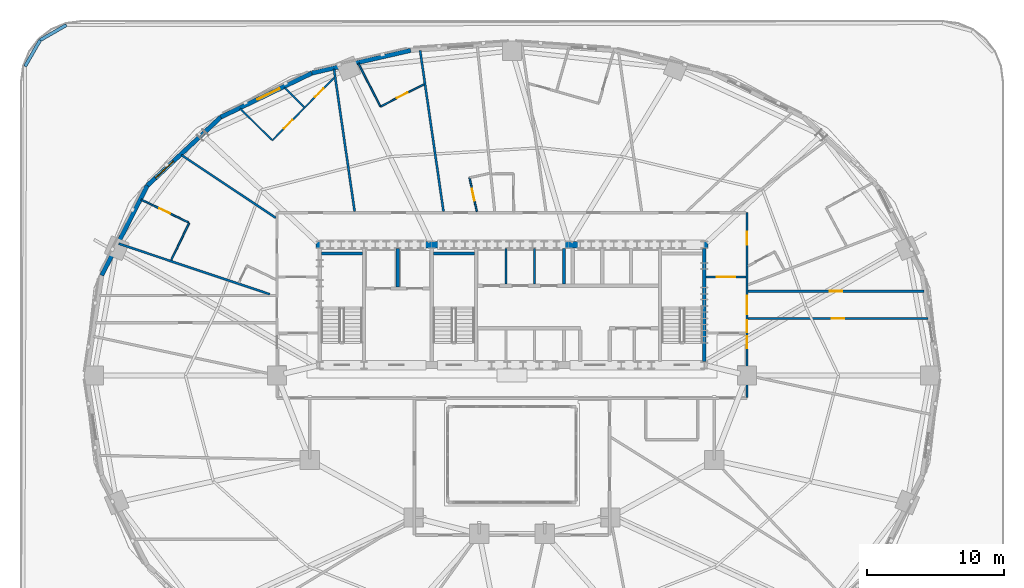
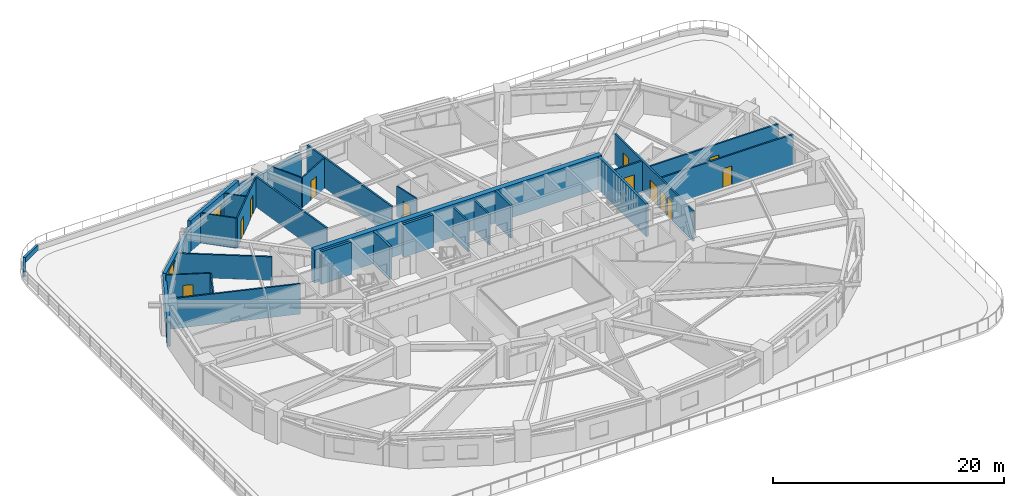
# One storey, part 10 of 18: 30 walls, 12 doors, 2 windows, 14 openings.
"""IFC4 building model written with IfcOpenShell, lengths in metres."""

from ifc_helpers import new_model, si_unit, direction, frame, frame_2d, origin, place, context, subcontext, project, spatial, rectangle, extrude, material, layer, layer_set, type_object, element, fill, save


model = new_model("IFC4")

# Units and contexts
model_context = context("Model", 3, precision=1e-05, world=origin(), true_north=direction((0.0, 1.0)))
body_context = subcontext(model_context, "Body", "Model", "MODEL_VIEW")
ifc_project = project(units=[si_unit("LENGTHUNIT", "METRE"), si_unit("AREAUNIT", "SQUARE_METRE"), si_unit("VOLUMEUNIT", "CUBIC_METRE"), si_unit("PLANEANGLEUNIT", "RADIAN"), si_unit("MASSUNIT", "GRAM", prefix="KILO")], contexts=[model_context])

# Site, building, storey
site_placement = place(None, origin())
site = spatial("IfcSite", under=ifc_project, at=site_placement, CompositionType="ELEMENT")
building_placement = place(site_placement, origin())
building = spatial("IfcBuilding", under=site, at=building_placement, Name="Haldorwick Loom Tower", CompositionType="ELEMENT")
storey_placement = place(building_placement, frame((0.0, 0.0, 24.0)))
storey = spatial("IfcBuildingStorey", under=building, at=storey_placement, Name="L05", CompositionType="ELEMENT", Elevation=24.0)

# Wall
ifc_material_1 = material(Name="Pressed Clay Face Brick and Insulated Masonry Backup Assembly", Category="masonry")
ifc_layer_1 = layer(ifc_material_1, 0.320068359375, Name="Pressed Clay Face Brick and Insulated Masonry Backup Assembly", Category="masonry")
ifc_layer_set_1 = layer_set([ifc_layer_1], Name="Pressed Clay Face Brick and Insulated Masonry Backup Assembly")
wall_type_1 = type_object("IfcWallType", Name="ARC-WL-EXT320", PredefinedType="STANDARD", material=ifc_layer_set_1)
wall_1_placement = place(storey_placement, frame((28.588623046875, 49.780517578125, 0.0), z_axis=(0.0, 0.0, 1.0), x_axis=(-0.974522412345, -0.224290142088, 0.0)))
element("IfcWall", 1, at=wall_1_placement, inside=storey, type_object=wall_type_1, Name="L05 Brick Pier and Spandrel Wall 8", PredefinedType="STANDARD", context=body_context, shape_type="SweptSolid", body=[
    extrude(rectangle(XDim=7.422607421875, YDim=0.320068359375, at=frame_2d((3.71142578125, 0.0))), origin(), (0.0, 0.0, 1.0), 2.569091796875),
])

# Wall, opening, window
wall_2_placement = place(storey_placement, frame((21.355224609375, 48.11572265625, 0.0), z_axis=(0.0, 0.0, 1.0), x_axis=(-0.900295710431, -0.435278800057, 0.0)))
wall_2 = element("IfcWall", 2, at=wall_2_placement, inside=storey, type_object=wall_type_1, Name="L05 Brick Pier and Spandrel Wall 9", PredefinedType="STANDARD", context=body_context, shape_type="SweptSolid", body=[
    extrude(rectangle(XDim=7.39697265625, YDim=0.320068359375, at=frame_2d((3.698486328125, 0.0))), origin(), (0.0, 0.0, 1.0), 3.2099609375),
])
opening_1_placement = place(wall_2_placement, frame((2.61865234375, 0.0, 0.800048828125)))
opening_1 = element("IfcOpeningElement", 3, at=opening_1_placement, cuts=wall_2, Name="Opening W-01", PredefinedType="OPENING", context=body_context, shape_type="SweptSolid", body=[
    extrude(rectangle(XDim=1.800048828125, YDim=1.47998046875, at=frame_2d((0.89990234375, 0.739990234375))), frame((0.0, 0.169921875, 0.0), z_axis=(0.0, -1.0, 0.0), x_axis=(1.0, 0.0, 0.0)), (0.0, 0.0, 1.0), 0.340087890625),
])
ifc_material_2 = material(Name="Triple-Glazed Low-E Argon Insulated Glazing Unit", Category="glass")
window_type = type_object("IfcWindowType", Name="ARC-WIN-W180", PartitioningType="SINGLE_PANEL", PredefinedType="WINDOW", material=ifc_material_2)
window_1_placement = place(opening_1_placement, origin())
window_1 = element("IfcWindow", 4, at=window_1_placement, inside=storey, type_object=window_type, Name="L05 Deep-Set Zone 7A Window 9", OverallHeight=1.47998046875, OverallWidth=1.800048828125, PartitioningType="SINGLE_PANEL", PredefinedType="WINDOW", context=body_context, shape_type="SweptSolid", body=[
    extrude(rectangle(XDim=1.800048828125, YDim=1.47998046875, at=frame_2d((0.89990234375, 0.739990234375))), frame((0.0, 0.030029296875, 0.0), z_axis=(0.0, -1.0, 0.0), x_axis=(1.0, 0.0, 0.0)), (0.0, 0.0, 1.0), 0.06005859375),
])
fill(opening_1, window_1)

wall_3_placement = place(storey_placement, frame((14.69580078125, 44.89599609375, 0.0), z_axis=(0.0, 0.0, 1.0), x_axis=(-0.73176101237, -0.681561311091, 0.0)))
wall_3 = element("IfcWall", 5, at=wall_3_placement, inside=storey, type_object=wall_type_1, Name="L05 Brick Pier and Spandrel Wall 10", PredefinedType="STANDARD", context=body_context, shape_type="SweptSolid", body=[
    extrude(rectangle(XDim=7.3583984375, YDim=0.320068359375, at=frame_2d((3.67919921875, 0.0))), origin(), (0.0, 0.0, 1.0), 2.569091796875),
])
opening_2_placement = place(wall_3_placement, frame((4.736572265625, 0.0, 0.800048828125)))
opening_2 = element("IfcOpeningElement", 6, at=opening_2_placement, cuts=wall_3, Name="Opening W-01", PredefinedType="OPENING", context=body_context, shape_type="SweptSolid", body=[
    extrude(rectangle(XDim=1.800048828125, YDim=1.47998046875, at=frame_2d((0.89990234375, 0.739990234375))), frame((0.0, 0.169921875, 0.0), z_axis=(0.0, -1.0, 0.0), x_axis=(1.0, 0.0, 0.0)), (0.0, 0.0, 1.0), 0.340087890625),
])
window_2_placement = place(opening_2_placement, origin())
window_2 = element("IfcWindow", 7, at=window_2_placement, inside=storey, type_object=window_type, Name="L05 Deep-Set Zone 7A Window 10", OverallHeight=1.47998046875, OverallWidth=1.800048828125, PartitioningType="SINGLE_PANEL", PredefinedType="WINDOW", context=body_context, shape_type="SweptSolid", body=[
    extrude(rectangle(XDim=1.800048828125, YDim=1.47998046875, at=frame_2d((0.89990234375, 0.739990234375))), frame((0.0, 0.030029296875, 0.0), z_axis=(0.0, -1.0, 0.0), x_axis=(1.0, 0.0, 0.0)), (0.0, 0.0, 1.0), 0.06005859375),
])
fill(opening_2, window_2)

# Wall
wall_4_placement = place(storey_placement, frame((9.311279296875, 39.880859375, 0.0), z_axis=(0.0, 0.0, 1.0), x_axis=(-0.452950855928, -0.891535485617, 0.0)))
element("IfcWall", 8, at=wall_4_placement, inside=storey, type_object=wall_type_1, Name="L05 Brick Pier and Spandrel Wall 11", PredefinedType="STANDARD", context=body_context, shape_type="SweptSolid", body=[
    extrude(rectangle(XDim=7.3583984375, YDim=0.320068359375, at=frame_2d((3.67919921875, 0.0))), origin(), (0.0, 0.0, 1.0), 2.569091796875),
])

# Wall, openings, doors
ifc_material_3 = material(Name="Fire-Rated Type X Gypsum Stud Assembly EI 60")
ifc_layer_2 = layer(ifc_material_3, 0.159912109375, Name="Fire-Rated Type X Gypsum Stud Assembly EI 60")
ifc_layer_set_2 = layer_set([ifc_layer_2], Name="Fire-Rated Type X Gypsum Stud Assembly EI 60")
wall_type_2 = type_object("IfcWallType", Name="ARC-WL-FIRE160", PredefinedType="PARTITIONING", material=ifc_layer_set_2)
wall_5_placement = place(storey_placement, frame((53.199951171875, 24.383056640625, 0.0), z_axis=(0.0, 0.0, 1.0), x_axis=(0.0, 1.0, 0.0)))
wall_5 = element("IfcWall", 9, at=wall_5_placement, inside=storey, type_object=wall_type_2, Name="L05 Residential Fire Partition L05-CR-E0", PredefinedType="PARTITIONING", context=body_context, shape_type="SweptSolid", body=[
    extrude(rectangle(XDim=13.516845703125, YDim=0.159912109375, at=frame_2d((6.75830078125, 0.0))), origin(), (0.0, 0.0, 1.0), 3.195068359375),
])
opening_3_placement = place(wall_5_placement, frame((6.08349609375, 0.0, 0.0)))
opening_3 = element("IfcOpeningElement", 10, at=opening_3_placement, cuts=wall_5, Name="Opening D-CR15", PredefinedType="OPENING", context=body_context, shape_type="SweptSolid", body=[
    extrude(rectangle(XDim=1.35009765625, YDim=2.0, at=frame_2d((0.675048828125, 1.0))), frame((0.0, 0.08984375, 0.0), z_axis=(0.0, -1.0, 0.0), x_axis=(1.0, 0.0, 0.0)), (0.0, 0.0, 1.0), 0.179931640625),
])
opening_4_placement = place(wall_5_placement, frame((11.158447265625, 0.0, 0.0)))
opening_4 = element("IfcOpeningElement", 11, at=opening_4_placement, cuts=wall_5, Name="Opening D-FL95", PredefinedType="OPENING", context=body_context, shape_type="SweptSolid", body=[
    extrude(rectangle(XDim=0.949951171875, YDim=2.0400390625, at=frame_2d((0.47509765625, 1.02001953125))), frame((0.0, 0.08984375, 0.0), z_axis=(0.0, -1.0, 0.0), x_axis=(1.0, 0.0, 0.0)), (0.0, 0.0, 1.0), 0.179931640625),
])
opening_5_placement = place(wall_5_placement, frame((3.5908203125, 0.0, 0.0)))
opening_5 = element("IfcOpeningElement", 12, at=opening_5_placement, cuts=wall_5, Name="Opening D-FD60A", PredefinedType="OPENING", context=body_context, shape_type="SweptSolid", body=[
    extrude(rectangle(XDim=0.89990234375, YDim=2.0, at=frame_2d((0.449951171875, 1.0))), frame((0.0, 0.08984375, 0.0), z_axis=(0.0, -1.0, 0.0), x_axis=(1.0, 0.0, 0.0)), (0.0, 0.0, 1.0), 0.179931640625),
])
opening_6_placement = place(wall_5_placement, frame((4.75732421875, 0.0, 0.0)))
opening_6 = element("IfcOpeningElement", 13, at=opening_6_placement, cuts=wall_5, Name="Opening D-FD60A", PredefinedType="OPENING", context=body_context, shape_type="SweptSolid", body=[
    extrude(rectangle(XDim=0.89990234375, YDim=2.0, at=frame_2d((0.449951171875, 1.0))), frame((0.0, 0.08984375, 0.0), z_axis=(0.0, -1.0, 0.0), x_axis=(1.0, 0.0, 0.0)), (0.0, 0.0, 1.0), 0.179931640625),
])
ifc_material_4 = material(Name="Thermally Broken Anodized Aluminium and Tempered Glass", Category="aluminium")
door_type_1 = type_object("IfcDoorType", Name="ARC-DR-COR150", OperationType="NOTDEFINED", PredefinedType="DOOR", material=ifc_material_4)
door_1_placement = place(opening_3_placement, origin())
door_1 = element("IfcDoor", 14, at=door_1_placement, inside=storey, type_object=door_type_1, Name="L05 L05 East Residential Corridor to L05 East Daylight Corridor Door", OperationType="DOUBLE_DOOR_SINGLE_SWING", OverallHeight=2.0, OverallWidth=1.35009765625, PredefinedType="DOOR", context=body_context, shape_type="SweptSolid", body=[
    extrude(rectangle(XDim=1.35009765625, YDim=2.0, at=frame_2d((0.675048828125, 1.0))), frame((0.0, 0.02490234375, 0.0), z_axis=(0.0, -1.0, 0.0), x_axis=(1.0, 0.0, 0.0)), (0.0, 0.0, 1.0), 0.050048828125),
])
fill(opening_3, door_1)
ifc_material_5 = material(Name="Hollow Steel Fire Door Assembly", Category="steel")
door_type_2 = type_object("IfcDoorType", Name="ARC-DR-FD60-90", OperationType="NOTDEFINED", PredefinedType="DOOR", material=ifc_material_5)
door_2_placement = place(opening_5_placement, origin())
door_2 = element("IfcDoor", 15, at=door_2_placement, inside=storey, type_object=door_type_2, Name="L05 L05 Central Residential Corridor to Resident Work Office 2 Door", OperationType="SINGLE_SWING_RIGHT", OverallHeight=2.0, OverallWidth=0.89990234375, PredefinedType="DOOR", context=body_context, shape_type="SweptSolid", body=[
    extrude(rectangle(XDim=0.89990234375, YDim=2.0, at=frame_2d((0.449951171875, 1.0))), frame((0.0, 0.02490234375, 0.0), z_axis=(0.0, -1.0, 0.0), x_axis=(1.0, 0.0, 0.0)), (0.0, 0.0, 1.0), 0.050048828125),
])
fill(opening_5, door_2)
door_3_placement = place(opening_6_placement, origin())
door_3 = element("IfcDoor", 16, at=door_3_placement, inside=storey, type_object=door_type_2, Name="L05 L05 East Residential Corridor to Resident Work Office 2 Door", OperationType="SINGLE_SWING_RIGHT", OverallHeight=2.0, OverallWidth=0.89990234375, PredefinedType="DOOR", context=body_context, shape_type="SweptSolid", body=[
    extrude(rectangle(XDim=0.89990234375, YDim=2.0, at=frame_2d((0.449951171875, 1.0))), frame((0.0, 0.02490234375, 0.0), z_axis=(0.0, -1.0, 0.0), x_axis=(1.0, 0.0, 0.0)), (0.0, 0.0, 1.0), 0.050048828125),
])
fill(opening_6, door_3)
ifc_material_6 = material(Name="Solid Core Birch Architectural Door")
door_type_3 = type_object("IfcDoorType", Name="ARC-DR-FLAT95", OperationType="NOTDEFINED", PredefinedType="DOOR", material=ifc_material_6)
door_4_placement = place(opening_4_placement, origin())
door_4 = element("IfcDoor", 17, at=door_4_placement, inside=storey, type_object=door_type_3, Name="L05 L05 North Residential Corridor to Unit 05K Kitchen and Living Room D", OperationType="SINGLE_SWING_RIGHT", OverallHeight=2.0400390625, OverallWidth=0.949951171875, PredefinedType="DOOR", context=body_context, shape_type="SweptSolid", body=[
    extrude(rectangle(XDim=0.949951171875, YDim=2.0400390625, at=frame_2d((0.47509765625, 1.02001953125))), frame((0.0, 0.02490234375, 0.0), z_axis=(0.0, -1.0, 0.0), x_axis=(1.0, 0.0, 0.0)), (0.0, 0.0, 1.0), 0.050048828125),
])
fill(opening_4, door_4)

# Wall, opening, door
wall_6_placement = place(storey_placement, frame((50.193115234375, 33.199951171875, 0.0), z_axis=(0.0, 0.0, 1.0), x_axis=(1.0, 0.0, 0.0)))
wall_6 = element("IfcWall", 18, at=wall_6_placement, inside=storey, type_object=wall_type_2, Name="L05 Residential Fire Partition L05-CR-ENJ", PredefinedType="PARTITIONING", context=body_context, shape_type="SweptSolid", body=[
    extrude(rectangle(XDim=2.923828125, YDim=0.159912109375, at=frame_2d((1.4619140625, 0.0))), origin(), (0.0, 0.0, 1.0), 3.195068359375),
])
opening_7_placement = place(wall_6_placement, frame((0.787109375, 0.0, 0.0)))
opening_7 = element("IfcOpeningElement", 19, at=opening_7_placement, cuts=wall_6, Name="Opening D-CR15", PredefinedType="OPENING", context=body_context, shape_type="SweptSolid", body=[
    extrude(rectangle(XDim=1.35009765625, YDim=2.0, at=frame_2d((0.675048828125, 1.0))), frame((0.0, 0.08984375, 0.0), z_axis=(0.0, -1.0, 0.0), x_axis=(1.0, 0.0, 0.0)), (0.0, 0.0, 1.0), 0.179931640625),
])
door_5_placement = place(opening_7_placement, origin())
door_5 = element("IfcDoor", 20, at=door_5_placement, inside=storey, type_object=door_type_1, Name="L05 L05 North Residential Corridor to L05 East Residential Corridor Door", OperationType="DOUBLE_DOOR_SINGLE_SWING", OverallHeight=2.0, OverallWidth=1.35009765625, PredefinedType="DOOR", context=body_context, shape_type="SweptSolid", body=[
    extrude(rectangle(XDim=1.35009765625, YDim=2.0, at=frame_2d((0.675048828125, 1.0))), frame((0.0, 0.02490234375, 0.0), z_axis=(0.0, -1.0, 0.0), x_axis=(1.0, 0.0, 0.0)), (0.0, 0.0, 1.0), 0.050048828125),
])
fill(opening_7, door_5)

wall_7_placement = place(storey_placement, frame((53.282958984375, 30.14990234375, 0.0), z_axis=(0.0, 0.0, 1.0), x_axis=(1.0, 0.0, 0.0)))
wall_7 = element("IfcWall", 21, at=wall_7_placement, inside=storey, type_object=wall_type_2, Name="L05 Residential Fire Partition L05-CR-GE0", PredefinedType="PARTITIONING", context=body_context, shape_type="SweptSolid", body=[
    extrude(rectangle(XDim=13.15576171875, YDim=0.159912109375, at=frame_2d((6.577880859375, 0.0))), origin(), (0.0, 0.0, 1.0), 3.195068359375),
])
opening_8_placement = place(wall_7_placement, frame((6.127685546875, 0.0, 0.0)))
opening_8 = element("IfcOpeningElement", 22, at=opening_8_placement, cuts=wall_7, Name="Opening D-FD60A", PredefinedType="OPENING", context=body_context, shape_type="SweptSolid", body=[
    extrude(rectangle(XDim=0.89990234375, YDim=2.0, at=frame_2d((0.449951171875, 1.0))), frame((0.0, 0.08984375, 0.0), z_axis=(0.0, -1.0, 0.0), x_axis=(1.0, 0.0, 0.0)), (0.0, 0.0, 1.0), 0.179931640625),
])
door_6_placement = place(opening_8_placement, origin())
door_6 = element("IfcDoor", 23, at=door_6_placement, inside=storey, type_object=door_type_2, Name="L05 L05 East Daylight Corridor to Resident Work Office 2 Door", OperationType="SINGLE_SWING_LEFT", OverallHeight=2.0, OverallWidth=0.89990234375, PredefinedType="DOOR", context=body_context, shape_type="SweptSolid", body=[
    extrude(rectangle(XDim=0.89990234375, YDim=2.0, at=frame_2d((0.449951171875, 1.0))), frame((0.0, 0.02490234375, 0.0), z_axis=(0.0, -1.0, 0.0), x_axis=(1.0, 0.0, 0.0)), (0.0, 0.0, 1.0), 0.050048828125),
])
fill(opening_8, door_6)

wall_8_placement = place(storey_placement, frame((53.282958984375, 32.14990234375, 0.0), z_axis=(0.0, 0.0, 1.0), x_axis=(1.0, 0.0, 0.0)))
wall_8 = element("IfcWall", 24, at=wall_8_placement, inside=storey, type_object=wall_type_2, Name="L05 Residential Fire Partition L05-CR-GE1", PredefinedType="PARTITIONING", context=body_context, shape_type="SweptSolid", body=[
    extrude(rectangle(XDim=12.851318359375, YDim=0.159912109375, at=frame_2d((6.42578125, 0.0))), origin(), (0.0, 0.0, 1.0), 3.195068359375),
])
opening_9_placement = place(wall_8_placement, frame((5.9755859375, 0.0, 0.0)))
opening_9 = element("IfcOpeningElement", 25, at=opening_9_placement, cuts=wall_8, Name="Opening D-FD60A", PredefinedType="OPENING", context=body_context, shape_type="SweptSolid", body=[
    extrude(rectangle(XDim=0.89990234375, YDim=2.0, at=frame_2d((0.449951171875, 1.0))), frame((0.0, 0.08984375, 0.0), z_axis=(0.0, -1.0, 0.0), x_axis=(1.0, 0.0, 0.0)), (0.0, 0.0, 1.0), 0.179931640625),
])
door_7_placement = place(opening_9_placement, frame((0.89990234375, 0.0, 0.0), z_axis=(0.0, 0.0, 1.0), x_axis=(-1.0, 0.0, 0.0)))
door_7 = element("IfcDoor", 26, at=door_7_placement, inside=storey, type_object=door_type_2, Name="L05 Resident Study Room 11 to L05 East Daylight Corridor Door", OperationType="SINGLE_SWING_RIGHT", OverallHeight=2.0, OverallWidth=0.89990234375, PredefinedType="DOOR", context=body_context, shape_type="SweptSolid", body=[
    extrude(rectangle(XDim=0.89990234375, YDim=2.0, at=frame_2d((0.449951171875, 1.0))), frame((0.0, 0.02490234375, 0.0), z_axis=(0.0, -1.0, 0.0), x_axis=(1.0, 0.0, 0.0)), (0.0, 0.0, 1.0), 0.050048828125),
])
fill(opening_9, door_7)

# Walls
wall_9_placement = place(storey_placement, frame((24.488037109375, 37.98291015625, 0.0), z_axis=(0.0, 0.0, 1.0), x_axis=(-0.143527306887, 0.989646357129, 0.0)))
element("IfcWall", 27, at=wall_9_placement, inside=storey, type_object=wall_type_2, Name="L05 Residential Fire Partition L05-UPN-15", PredefinedType="PARTITIONING", context=body_context, shape_type="SweptSolid", body=[
    extrude(rectangle(XDim=10.5478515625, YDim=0.159912109375, at=frame_2d((5.27392578125, 0.0))), origin(), (0.0, 0.0, 1.0), 3.195068359375),
])
wall_10_placement = place(storey_placement, frame((30.988037109375, 37.98291015625, 0.0), z_axis=(0.0, 0.0, 1.0), x_axis=(-0.14353446512, 0.989645318952, 0.0)))
element("IfcWall", 28, at=wall_10_placement, inside=storey, type_object=wall_type_2, Name="L05 Residential Fire Partition L05-UPN-16", PredefinedType="PARTITIONING", context=body_context, shape_type="SweptSolid", body=[
    extrude(rectangle(XDim=11.903076171875, YDim=0.159912109375, at=frame_2d((5.95166015625, 0.0))), origin(), (0.0, 0.0, 1.0), 3.195068359375),
])
wall_11_placement = place(storey_placement, frame((18.275634765625, 31.93310546875, 0.0), z_axis=(0.0, 0.0, 1.0), x_axis=(-0.948282375138, 0.317428002866, 0.0)))
element("IfcWall", 29, at=wall_11_placement, inside=storey, type_object=wall_type_2, Name="L05 Suite Split Wall", PredefinedType="PARTITIONING", context=body_context, shape_type="SweptSolid", body=[
    extrude(rectangle(XDim=11.653076171875, YDim=0.159912109375, at=frame_2d((5.82666015625, 0.0))), origin(), (0.0, 0.0, 1.0), 3.195068359375),
])
wall_12_placement = place(storey_placement, frame((18.717041015625, 37.51806640625, 0.0), z_axis=(0.0, 0.0, 1.0), x_axis=(-0.832154371396, 0.554544048897, 0.0)))
element("IfcWall", 30, at=wall_12_placement, inside=storey, type_object=wall_type_2, Name="L05 Suite Split Wall", PredefinedType="PARTITIONING", context=body_context, shape_type="SweptSolid", body=[
    extrude(rectangle(XDim=8.29931640625, YDim=0.159912109375, at=frame_2d((4.149658203125, 0.0))), origin(), (0.0, 0.0, 1.0), 2.489990234375),
])
ifc_layer_3 = layer(ifc_material_1, 0.239990234375, Name="Pressed Clay Face Brick and Insulated Masonry Backup Assembly", Category="masonry")
ifc_layer_set_3 = layer_set([ifc_layer_3], Name="Pressed Clay Face Brick and Insulated Masonry Backup Assembly")
wall_type_3 = type_object("IfcWallType", Name="ARC-WL-PARAPET240", PredefinedType="PARAPET", material=ifc_layer_set_3)
for number, where, z_axis, x_axis, name in (
    (31, (0.367919921875, 48.607666015625, 0.0), (0.0, 0.0, 1.0), (0.49999285859, 0.86602952684, 0.0), "L05 Terrace Masonry Parapet 2"),
    (32, (1.47509765625, 50.525390625, 0.0), (0.0, 0.0, 1.0), (0.866077265589, 0.499910161958, 0.0), "L05 Terrace Masonry Parapet 3"),
):
    element("IfcWall", number, at=place(storey_placement, frame(where, z_axis=z_axis, x_axis=x_axis)), inside=storey, type_object=wall_type_3, Name=name, PredefinedType="PARAPET", context=body_context, shape_type="SweptSolid", body=[
        extrude(rectangle(XDim=2.21435546875, YDim=0.239990234375, at=frame_2d((1.107177734375, 0.0))), origin(), (0.0, 0.0, 1.0), 0.550048828125),
    ])

# Wall, opening, door
ifc_material_7 = material(Name="Acoustic Gypsum Stud Assembly STC 55")
ifc_layer_4 = layer(ifc_material_7, 0.1201171875, Name="Acoustic Gypsum Stud Assembly STC 55")
ifc_layer_set_4 = layer_set([ifc_layer_4], Name="Acoustic Gypsum Stud Assembly STC 55")
wall_type_4 = type_object("IfcWallType", Name="ARC-WL-PART120", PredefinedType="PARTITIONING", material=ifc_layer_set_4)
wall_13_placement = place(storey_placement, frame((29.553466796875, 47.295654296875, 0.0), z_axis=(0.0, 0.0, 1.0), x_axis=(-0.88971564895, -0.456515130104, 0.0)))
wall_13 = element("IfcWall", 33, at=wall_13_placement, inside=storey, type_object=wall_type_4, Name="L05 Unit 05E Interior Partition", PredefinedType="PARTITIONING", context=body_context, shape_type="SweptSolid", body=[
    extrude(rectangle(XDim=3.57080078125, YDim=0.1201171875, at=frame_2d((1.785400390625, 0.0))), origin(), (0.0, 0.0, 1.0), 3.195068359375),
])
opening_10_placement = place(wall_13_placement, frame((1.345458984375, 0.0, 0.0)))
opening_10 = element("IfcOpeningElement", 34, at=opening_10_placement, cuts=wall_13, Name="Opening D-BT88", PredefinedType="OPENING", context=body_context, shape_type="SweptSolid", body=[
    extrude(rectangle(XDim=0.8798828125, YDim=2.02001953125, at=frame_2d((0.43994140625, 1.010009765625))), frame((0.0, 0.070068359375, 0.0), z_axis=(0.0, -1.0, 0.0), x_axis=(1.0, 0.0, 0.0)), (0.0, 0.0, 1.0), 0.14013671875),
])
door_type_4 = type_object("IfcDoorType", Name="ARC-DR-BATH88", OperationType="NOTDEFINED", PredefinedType="DOOR", material=ifc_material_6)
door_8_placement = place(opening_10_placement, origin())
door_8 = element("IfcDoor", 35, at=door_8_placement, inside=storey, type_object=door_type_4, Name="L05 Unit 05E Kitchen and Studio Living Room to Unit 05E Bathroom Door", OperationType="SINGLE_SWING_RIGHT", OverallHeight=2.02001953125, OverallWidth=0.8798828125, PredefinedType="DOOR", context=body_context, shape_type="SweptSolid", body=[
    extrude(rectangle(XDim=0.8798828125, YDim=2.02001953125, at=frame_2d((0.43994140625, 1.010009765625))), frame((0.0, 0.02490234375, 0.0), z_axis=(0.0, -1.0, 0.0), x_axis=(1.0, 0.0, 0.0)), (0.0, 0.0, 1.0), 0.050048828125),
])
fill(opening_10, door_8)

# Wall
wall_14_placement = place(storey_placement, frame((26.37646484375, 45.66552734375, 0.0), z_axis=(0.0, 0.0, 1.0), x_axis=(-0.456549293145, 0.889698118987, 0.0)))
element("IfcWall", 36, at=wall_14_placement, inside=storey, type_object=wall_type_4, Name="L05 Unit 05E Interior Partition", PredefinedType="PARTITIONING", context=body_context, shape_type="SweptSolid", body=[
    extrude(rectangle(XDim=3.5576171875, YDim=0.1201171875, at=frame_2d((1.77880859375, 0.0))), origin(), (0.0, 0.0, 1.0), 3.195068359375),
])

# Wall, opening, door
wall_15_placement = place(storey_placement, frame((33.427978515625, 37.98291015625, 0.0), z_axis=(0.0, 0.0, 1.0), x_axis=(-0.210659362969, 0.977559529028, 0.0)))
wall_15 = element("IfcWall", 37, at=wall_15_placement, inside=storey, type_object=wall_type_4, Name="L05 Unit 05H Interior Partition", PredefinedType="PARTITIONING", context=body_context, shape_type="SweptSolid", body=[
    extrude(rectangle(XDim=2.536865234375, YDim=0.1201171875, at=frame_2d((1.2685546875, 0.0))), origin(), (0.0, 0.0, 1.0), 3.195068359375),
])
opening_11_placement = place(wall_15_placement, frame((0.828369140625, 0.0, 0.0)))
opening_11 = element("IfcOpeningElement", 38, at=opening_11_placement, cuts=wall_15, Name="Opening D-BT88", PredefinedType="OPENING", context=body_context, shape_type="SweptSolid", body=[
    extrude(rectangle(XDim=0.8798828125, YDim=2.02001953125, at=frame_2d((0.43994140625, 1.010009765625))), frame((0.0, 0.070068359375, 0.0), z_axis=(0.0, -1.0, 0.0), x_axis=(1.0, 0.0, 0.0)), (0.0, 0.0, 1.0), 0.14013671875),
])
door_9_placement = place(opening_11_placement, origin())
door_9 = element("IfcDoor", 39, at=door_9_placement, inside=storey, type_object=door_type_4, Name="L05 Unit 05H Kitchen and Studio Living Room to Unit 05H Bathroom Door", OperationType="SINGLE_SWING_RIGHT", OverallHeight=2.02001953125, OverallWidth=0.8798828125, PredefinedType="DOOR", context=body_context, shape_type="SweptSolid", body=[
    extrude(rectangle(XDim=0.8798828125, YDim=2.02001953125, at=frame_2d((0.43994140625, 1.010009765625))), frame((0.0, 0.02490234375, 0.0), z_axis=(0.0, -1.0, 0.0), x_axis=(1.0, 0.0, 0.0)), (0.0, 0.0, 1.0), 0.050048828125),
])
fill(opening_11, door_9)

# Wall
wall_16_placement = place(storey_placement, frame((12.3837890625, 37.161376953125, 0.0), z_axis=(0.0, 0.0, 1.0), x_axis=(-0.434237284081, -0.900798524152, 0.0)))
element("IfcWall", 40, at=wall_16_placement, inside=storey, type_object=wall_type_4, Name="L05 Unit 05I Interior Partition", PredefinedType="PARTITIONING", context=body_context, shape_type="SweptSolid", body=[
    extrude(rectangle(XDim=3.02880859375, YDim=0.1201171875, at=frame_2d((1.514404296875, 0.0))), origin(), (0.0, 0.0, 1.0), 3.195068359375),
])

# Wall, opening, door
wall_17_placement = place(storey_placement, frame((12.326904296875, 37.188720703125, 0.0), z_axis=(0.0, 0.0, 1.0), x_axis=(-0.900824136109, 0.434184149647, 0.0)))
wall_17 = element("IfcWall", 41, at=wall_17_placement, inside=storey, type_object=wall_type_4, Name="L05 Unit 05I Interior Partition", PredefinedType="PARTITIONING", context=body_context, shape_type="SweptSolid", body=[
    extrude(rectangle(XDim=3.84375, YDim=0.1201171875, at=frame_2d((1.921875, 0.0))), origin(), (0.0, 0.0, 1.0), 3.195068359375),
])
opening_12_placement = place(wall_17_placement, frame((1.471923828125, 0.0, 0.0)))
opening_12 = element("IfcOpeningElement", 42, at=opening_12_placement, cuts=wall_17, Name="Opening D-IN90", PredefinedType="OPENING", context=body_context, shape_type="SweptSolid", body=[
    extrude(rectangle(XDim=0.89990234375, YDim=2.0400390625, at=frame_2d((0.449951171875, 1.02001953125))), frame((0.0, 0.070068359375, 0.0), z_axis=(0.0, -1.0, 0.0), x_axis=(1.0, 0.0, 0.0)), (0.0, 0.0, 1.0), 0.14013671875),
])
door_type_5 = type_object("IfcDoorType", Name="ARC-DR-INT90", OperationType="NOTDEFINED", PredefinedType="DOOR", material=ifc_material_6)
door_10_placement = place(opening_12_placement, origin())
door_10 = element("IfcDoor", 43, at=door_10_placement, inside=storey, type_object=door_type_5, Name="L05 Unit 05I Bedroom 1 to Unit 05I Kitchen and Living Room Door", OperationType="SINGLE_SWING_RIGHT", OverallHeight=2.0400390625, OverallWidth=0.89990234375, PredefinedType="DOOR", context=body_context, shape_type="SweptSolid", body=[
    extrude(rectangle(XDim=0.89990234375, YDim=2.0400390625, at=frame_2d((0.449951171875, 1.02001953125))), frame((0.0, 0.02490234375, 0.0), z_axis=(0.0, -1.0, 0.0), x_axis=(1.0, 0.0, 0.0)), (0.0, 0.0, 1.0), 0.050048828125),
])
fill(opening_12, door_10)

# Wall, openings, doors
wall_18_placement = place(storey_placement, frame((22.983642578125, 47.77685546875, 0.0), z_axis=(0.0, 0.0, 1.0), x_axis=(-0.702006461789, -0.712170574796, 0.0)))
wall_18 = element("IfcWall", 44, at=wall_18_placement, inside=storey, type_object=wall_type_4, Name="L05 Unit 05J Interior Partition", PredefinedType="PARTITIONING", context=body_context, shape_type="SweptSolid", body=[
    extrude(rectangle(XDim=6.437255859375, YDim=0.1201171875, at=frame_2d((3.21875, 0.0))), origin(), (0.0, 0.0, 1.0), 3.195068359375),
])
opening_13_placement = place(wall_18_placement, frame((4.322509765625, 0.0, 0.0)))
opening_13 = element("IfcOpeningElement", 45, at=opening_13_placement, cuts=wall_18, Name="Opening D-IN90", PredefinedType="OPENING", context=body_context, shape_type="SweptSolid", body=[
    extrude(rectangle(XDim=0.89990234375, YDim=2.0400390625, at=frame_2d((0.449951171875, 1.02001953125))), frame((0.0, 0.070068359375, 0.0), z_axis=(0.0, -1.0, 0.0), x_axis=(1.0, 0.0, 0.0)), (0.0, 0.0, 1.0), 0.14013671875),
])
opening_14_placement = place(wall_18_placement, frame((1.114013671875, 0.0, 0.0)))
opening_14 = element("IfcOpeningElement", 46, at=opening_14_placement, cuts=wall_18, Name="Opening D-BT88", PredefinedType="OPENING", context=body_context, shape_type="SweptSolid", body=[
    extrude(rectangle(XDim=0.8798828125, YDim=2.02001953125, at=frame_2d((0.43994140625, 1.010009765625))), frame((0.0, 0.070068359375, 0.0), z_axis=(0.0, -1.0, 0.0), x_axis=(1.0, 0.0, 0.0)), (0.0, 0.0, 1.0), 0.14013671875),
])
door_11_placement = place(opening_14_placement, origin())
door_11 = element("IfcDoor", 47, at=door_11_placement, inside=storey, type_object=door_type_4, Name="L05 Unit 05J Kitchen and Living Room to Unit 05J Bathroom Door", OperationType="SINGLE_SWING_LEFT", OverallHeight=2.02001953125, OverallWidth=0.8798828125, PredefinedType="DOOR", context=body_context, shape_type="SweptSolid", body=[
    extrude(rectangle(XDim=0.8798828125, YDim=2.02001953125, at=frame_2d((0.43994140625, 1.010009765625))), frame((0.0, 0.02490234375, 0.0), z_axis=(0.0, -1.0, 0.0), x_axis=(1.0, 0.0, 0.0)), (0.0, 0.0, 1.0), 0.050048828125),
])
fill(opening_14, door_11)
door_12_placement = place(opening_13_placement, origin())
door_12 = element("IfcDoor", 48, at=door_12_placement, inside=storey, type_object=door_type_5, Name="L05 Unit 05J Kitchen and Living Room to Unit 05J Bedroom 1 Door", OperationType="SINGLE_SWING_RIGHT", OverallHeight=2.0400390625, OverallWidth=0.89990234375, PredefinedType="DOOR", context=body_context, shape_type="SweptSolid", body=[
    extrude(rectangle(XDim=0.89990234375, YDim=2.0400390625, at=frame_2d((0.449951171875, 1.02001953125))), frame((0.0, 0.02490234375, 0.0), z_axis=(0.0, -1.0, 0.0), x_axis=(1.0, 0.0, 0.0)), (0.0, 0.0, 1.0), 0.050048828125),
])
fill(opening_13, door_12)

# Walls
wall_19_placement = place(storey_placement, frame((18.419677734375, 43.236572265625, 0.0), z_axis=(0.0, 0.0, 1.0), x_axis=(-0.712178143151, 0.701998783773, 0.0)))
element("IfcWall", 49, at=wall_19_placement, inside=storey, type_object=wall_type_4, Name="L05 Unit 05J Interior Partition", PredefinedType="PARTITIONING", context=body_context, shape_type="SweptSolid", body=[
    extrude(rectangle(XDim=3.23779296875, YDim=0.1201171875, at=frame_2d((1.618896484375, 0.0))), origin(), (0.0, 0.0, 1.0), 3.195068359375),
])
wall_20_placement = place(storey_placement, frame((20.785400390625, 45.636474609375, 0.0), z_axis=(0.0, 0.0, 1.0), x_axis=(-0.712241355504, 0.70193464903, 0.0)))
element("IfcWall", 50, at=wall_20_placement, inside=storey, type_object=wall_type_4, Name="L05 Unit 05J Interior Partition", PredefinedType="PARTITIONING", context=body_context, shape_type="SweptSolid", body=[
    extrude(rectangle(XDim=2.037109375, YDim=0.1201171875, at=frame_2d((1.0185546875, 0.0))), origin(), (0.0, 0.0, 1.0), 3.195068359375),
])
ifc_material_8 = material(Name="Fire-Rated Type X Gypsum Stud Assembly EI 120")
ifc_layer_5 = layer(ifc_material_8, 0.1650390625, Name="Fire-Rated Type X Gypsum Stud Assembly EI 120")
ifc_layer_set_5 = layer_set([ifc_layer_5], Name="Fire-Rated Type X Gypsum Stud Assembly EI 120")
wall_type_5 = type_object("IfcWallType", Name="ARC-WL-SHAFT160", PredefinedType="MOVABLE", material=ifc_layer_set_5)
for number, where, z_axis, x_axis, name in (
    (51, (35.550048828125, 32.673095703125, 0.0), (0.0, 0.0, 1.0), (0.0, 1.0, 0.0), "L05 Low-Rise Hoistway Divider 1"),
    (52, (37.64990234375, 32.673095703125, 0.0), (0.0, 0.0, 1.0), (0.0, 1.0, 0.0), "L05 Low-Rise Hoistway Divider 2"),
):
    element("IfcWall", number, at=place(storey_placement, frame(where, z_axis=z_axis, x_axis=x_axis)), inside=storey, type_object=wall_type_5, Name=name, PredefinedType="MOVABLE", context=body_context, shape_type="SweptSolid", body=[
        extrude(rectangle(XDim=2.6240234375, YDim=0.159912109375, at=frame_2d((1.31201171875, 0.0))), origin(), (0.0, 0.0, 1.0), 3.195068359375),
    ])
ifc_material_9 = material(Name="Concrete C60 (60 MPa)", Category="concrete")
ifc_layer_6 = layer(ifc_material_9, 0.5, Name="Concrete C60 (60 MPa)", Category="concrete")
ifc_layer_set_6 = layer_set([ifc_layer_6], Name="Concrete C60 (60 MPa)")
wall_type_6 = type_object("IfcWallType", Name="STR-WL-CORE500", PredefinedType="SHEAR", material=ifc_layer_set_6)
wall_21_placement = place(storey_placement, frame((50.35009765625, 35.550048828125, 0.0), z_axis=(0.0, 0.0, 1.0), x_axis=(-1.0, 0.0, 0.0)))
element("IfcWall", 53, at=wall_21_placement, inside=storey, type_object=wall_type_6, Name="L05 Core Shear Wall N", PredefinedType="SHEAR", context=body_context, shape_type="SweptSolid", body=[
    extrude(rectangle(XDim=28.7001953125, YDim=0.5, at=frame_2d((14.35009765625, 0.0))), origin(), (0.0, 0.0, 1.0), 3.449951171875),
])
ifc_material_10 = material(Name="Concrete C50 (50 MPa)", Category="concrete")
ifc_layer_7 = layer(ifc_material_10, 0.239990234375, Name="Concrete C50 (50 MPa)", Category="concrete")
ifc_layer_set_7 = layer_set([ifc_layer_7], Name="Concrete C50 (50 MPa)")
wall_type_7 = type_object("IfcWallType", Name="STR-WL-SHAFT240", PredefinedType="SHEAR", material=ifc_layer_set_7)
wall_22_placement = place(storey_placement, frame((50.070068359375, 27.0029296875, 0.0), z_axis=(0.0, 0.0, 1.0), x_axis=(0.0, 1.0, 0.0)))
element("IfcWall", 54, at=wall_22_placement, inside=storey, type_object=wall_type_7, Name="L05 Core Shear Wall E", PredefinedType="SHEAR", context=body_context, shape_type="SweptSolid", body=[
    extrude(rectangle(XDim=8.294189453125, YDim=0.239990234375, at=frame_2d((4.14697265625, 0.0))), origin(), (0.0, 0.0, 1.0), 3.449951171875),
])
for number, where, z_axis, x_axis, name in (
    (55, (22.052978515625, 34.919921875, 0.0), (0.0, 0.0, 1.0), (1.0, 0.0, 0.0), "L05 Core Shear Wall 1N"),
    (56, (30.2529296875, 34.919921875, 0.0), (0.0, 0.0, 1.0), (1.0, 0.0, 0.0), "L05 Core Shear Wall 3N"),
):
    element("IfcWall", number, at=place(storey_placement, frame(where, z_axis=z_axis, x_axis=x_axis)), inside=storey, type_object=wall_type_7, Name=name, PredefinedType="SHEAR", context=body_context, shape_type="SweptSolid", body=[
        extrude(rectangle(XDim=2.994140625, YDim=0.239990234375, at=frame_2d((1.4970703125, 0.0))), origin(), (0.0, 0.0, 1.0), 3.449951171875),
    ])
wall_23_placement = place(storey_placement, frame((27.64990234375, 32.472900390625, 0.0), z_axis=(0.0, 0.0, 1.0), x_axis=(0.0, 1.0, 0.0)))
element("IfcWall", 57, at=wall_23_placement, inside=storey, type_object=wall_type_7, Name="L05 Core Shear Wall FFD", PredefinedType="SHEAR", context=body_context, shape_type="SweptSolid", body=[
    extrude(rectangle(XDim=2.82421875, YDim=0.239990234375, at=frame_2d((1.412109375, 0.0))), origin(), (0.0, 0.0, 1.0), 3.449951171875),
])
wall_24_placement = place(storey_placement, frame((39.800048828125, 32.673095703125, 0.0), z_axis=(0.0, 0.0, 1.0), x_axis=(0.0, 1.0, 0.0)))
element("IfcWall", 58, at=wall_24_placement, inside=storey, type_object=wall_type_7, Name="L05 Core Shear Wall LHW", PredefinedType="SHEAR", context=body_context, shape_type="SweptSolid", body=[
    extrude(rectangle(XDim=2.6240234375, YDim=0.239990234375, at=frame_2d((1.31201171875, 0.0))), origin(), (0.0, 0.0, 1.0), 3.449951171875),
])

save(model, "model.ifc")
